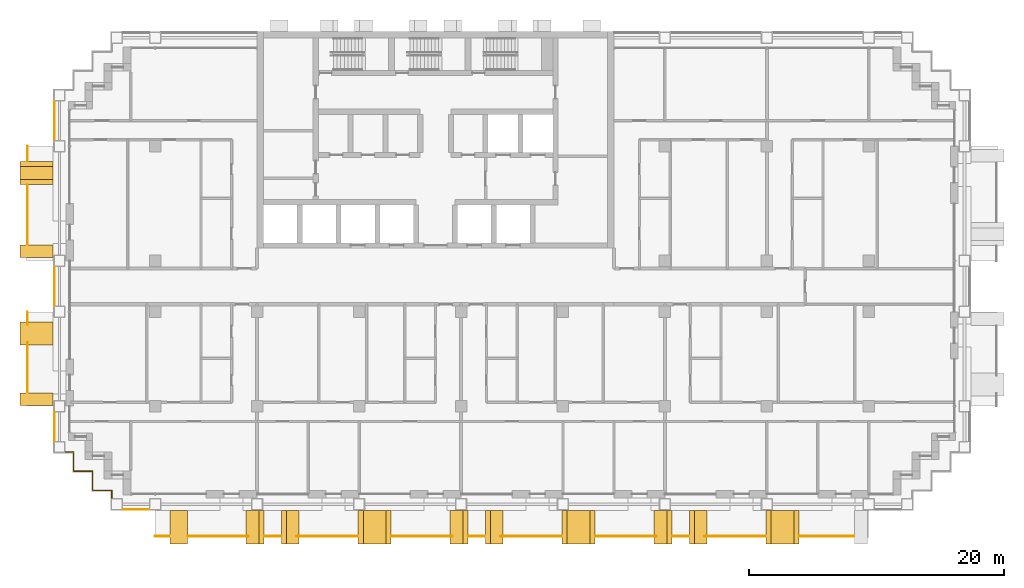
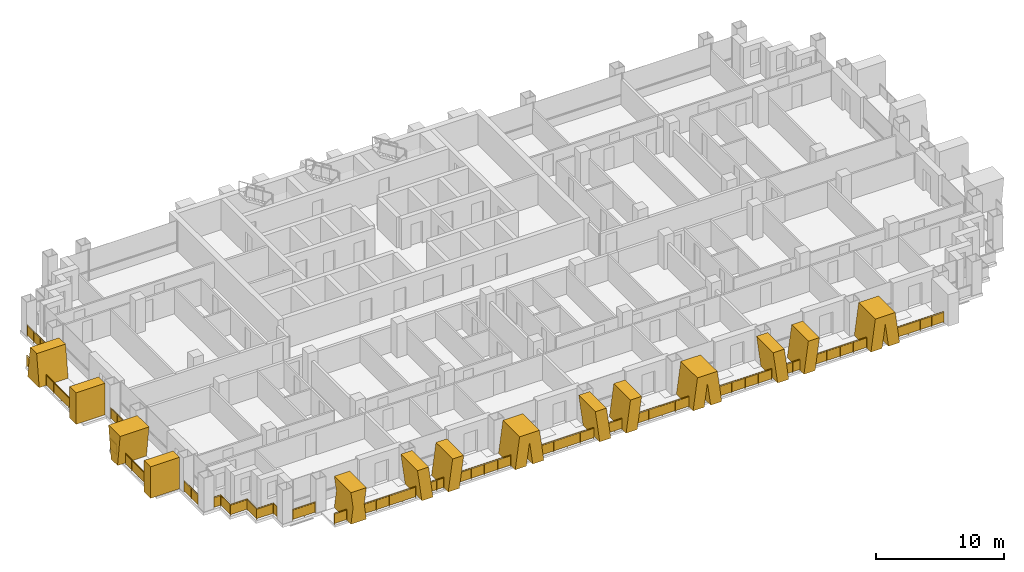
# One storey, part 15 of 17: 20 railings, 14 shading devices.
"""IFC4 building model written with IfcOpenShell, lengths in metres."""

from ifc_helpers import new_model, si_unit, direction, frame, origin, origin_2d, place, context, subcontext, project, spatial, polyline, rectangle, circle, outline, extrude, material, layer, layer_set, type_object, element, save


model = new_model("IFC4")

# Units and contexts
model_context = context("Model", 3, precision=1e-05, world=origin(), true_north=direction((0.0, 1.0)))
body_context = subcontext(model_context, "Body", "Model", "MODEL_VIEW")
ifc_project = project(units=[si_unit("LENGTHUNIT", "METRE"), si_unit("AREAUNIT", "SQUARE_METRE"), si_unit("VOLUMEUNIT", "CUBIC_METRE"), si_unit("PLANEANGLEUNIT", "RADIAN"), si_unit("MASSUNIT", "GRAM", prefix="KILO")], contexts=[model_context])

# Site, building, storey
site_placement = place(None, origin())
site = spatial("IfcSite", under=ifc_project, at=site_placement, CompositionType="ELEMENT")
building_placement = place(site_placement, origin())
building = spatial("IfcBuilding", under=site, at=building_placement, Name="Vidyagriha Tower", CompositionType="ELEMENT")
storey_placement = place(building_placement, frame((0.0, 0.0, 87.10009765625)))
storey = spatial("IfcBuildingStorey", under=building, at=storey_placement, Name="L22", CompositionType="ELEMENT", Elevation=87.10009765625)

# Railings
ifc_material_1 = material(Name="Steel ASTM A500 Grade C black painted", Category="steel")
railing_type_1 = type_object("IfcRailingType", Name="Balcony guard 1100", PredefinedType="BALUSTRADE", material=ifc_material_1)
railing_1_placement = place(storey_placement, frame((-32.0, 11.0, 0.0)))
element("IfcRailing", 1, at=railing_1_placement, inside=storey, type_object=railing_type_1, Name="Balcony guard L22 R16.1-1", PredefinedType="BALUSTRADE", context=body_context, shape_type="SweptSolid", body=[
    extrude(circle(Radius=0.02490234375, at=origin_2d()), frame((0.0, 0.0, 1.0751953125), z_axis=(0.0, -1.0, 0.0), x_axis=(1.0, 0.0, 0.0)), (0.0, 0.0, 1.0), 1.14990234375),
    extrude(circle(Radius=0.02001953125, at=origin_2d()), origin(), (0.0, 0.0, 1.0), 1.050048828125),
    extrude(circle(Radius=0.02001953125, at=origin_2d()), frame((0.0, -1.14990234375, 0.0)), (0.0, 0.0, 1.0), 1.050048828125),
    extrude(rectangle(XDim=0.010009765625, YDim=0.900146484375, at=origin_2d()), frame((0.0, 0.0, 0.550048828125), z_axis=(0.0, -1.0, 0.0), x_axis=(1.0, 0.0, 0.0)), (0.0, 0.0, 1.0), 1.14990234375),
])
railing_2_placement = place(storey_placement, frame((-32.0, 7.949951171875, 0.0)))
element("IfcRailing", 2, at=railing_2_placement, inside=storey, type_object=railing_type_1, Name="Balcony guard L22 R16.1-2", PredefinedType="BALUSTRADE", context=body_context, shape_type="SweptSolid", body=[
    extrude(circle(Radius=0.02490234375, at=origin_2d()), frame((0.0, 0.0, 1.0751953125), z_axis=(0.0, -1.0, 0.0), x_axis=(1.0, 0.0, 0.0)), (0.0, 0.0, 1.0), 4.64990234375),
    extrude(circle(Radius=0.02001953125, at=origin_2d()), origin(), (0.0, 0.0, 1.0), 1.050048828125),
    extrude(circle(Radius=0.02001953125, at=origin_2d()), frame((0.0, -1.16259765625, 0.0)), (0.0, 0.0, 1.0), 1.050048828125),
    extrude(circle(Radius=0.02001953125, at=origin_2d()), frame((0.0, -2.324951171875, 0.0)), (0.0, 0.0, 1.0), 1.050048828125),
    extrude(circle(Radius=0.02001953125, at=origin_2d()), frame((0.0, -3.4873046875, 0.0)), (0.0, 0.0, 1.0), 1.050048828125),
    extrude(circle(Radius=0.02001953125, at=origin_2d()), frame((0.0, -4.64990234375, 0.0)), (0.0, 0.0, 1.0), 1.050048828125),
    extrude(rectangle(XDim=0.010009765625, YDim=0.900146484375, at=origin_2d()), frame((0.0, 0.0, 0.550048828125), z_axis=(0.0, -1.0, 0.0), x_axis=(1.0, 0.0, 0.0)), (0.0, 0.0, 1.0), 4.64990234375),
])
railing_3_placement = place(storey_placement, frame((-32.0, -2.0, 0.0)))
element("IfcRailing", 3, at=railing_3_placement, inside=storey, type_object=railing_type_1, Name="Balcony guard L22 R16.2-1", PredefinedType="BALUSTRADE", context=body_context, shape_type="SweptSolid", body=[
    extrude(circle(Radius=0.02490234375, at=origin_2d()), frame((0.0, 0.0, 1.0751953125), z_axis=(0.0, -1.0, 0.0), x_axis=(1.0, 0.0, 0.0)), (0.0, 0.0, 1.0), 0.99658203125),
    extrude(circle(Radius=0.02001953125, at=origin_2d()), origin(), (0.0, 0.0, 1.0), 1.050048828125),
    extrude(circle(Radius=0.02001953125, at=origin_2d()), frame((0.0, -0.99658203125, 0.0)), (0.0, 0.0, 1.0), 1.050048828125),
    extrude(rectangle(XDim=0.010009765625, YDim=0.900146484375, at=origin_2d()), frame((0.0, 0.0, 0.550048828125), z_axis=(0.0, -1.0, 0.0), x_axis=(1.0, 0.0, 0.0)), (0.0, 0.0, 1.0), 0.99658203125),
])
railing_4_placement = place(storey_placement, frame((-32.0, -4.4033203125, 0.0)))
element("IfcRailing", 4, at=railing_4_placement, inside=storey, type_object=railing_type_1, Name="Balcony guard L22 R16.2-2", PredefinedType="BALUSTRADE", context=body_context, shape_type="SweptSolid", body=[
    extrude(circle(Radius=0.02490234375, at=origin_2d()), frame((0.0, 0.0, 1.0751953125), z_axis=(0.0, -1.0, 0.0), x_axis=(1.0, 0.0, 0.0)), (0.0, 0.0, 1.0), 3.896728515625),
    extrude(circle(Radius=0.02001953125, at=origin_2d()), origin(), (0.0, 0.0, 1.0), 1.050048828125),
    extrude(circle(Radius=0.02001953125, at=origin_2d()), frame((0.0, -0.97412109375, 0.0)), (0.0, 0.0, 1.0), 1.050048828125),
    extrude(circle(Radius=0.02001953125, at=origin_2d()), frame((0.0, -1.9482421875, 0.0)), (0.0, 0.0, 1.0), 1.050048828125),
    extrude(circle(Radius=0.02001953125, at=origin_2d()), frame((0.0, -2.922607421875, 0.0)), (0.0, 0.0, 1.0), 1.050048828125),
    extrude(circle(Radius=0.02001953125, at=origin_2d()), frame((0.0, -3.896728515625, 0.0)), (0.0, 0.0, 1.0), 1.050048828125),
    extrude(rectangle(XDim=0.010009765625, YDim=0.900146484375, at=origin_2d()), frame((0.0, 0.0, 0.550048828125), z_axis=(0.0, -1.0, 0.0), x_axis=(1.0, 0.0, 0.0)), (0.0, 0.0, 1.0), 3.896728515625),
])
railing_5_placement = place(storey_placement, frame((-22.0, -19.60009765625, 0.0)))
element("IfcRailing", 5, at=railing_5_placement, inside=storey, type_object=railing_type_1, Name="Balcony guard L22 R23.1-1", PredefinedType="BALUSTRADE", context=body_context, shape_type="SweptSolid", body=[
    extrude(circle(Radius=0.02490234375, at=origin_2d()), frame((0.0, 0.0, 1.0751953125), z_axis=(1.0, 0.0, 0.0), x_axis=(0.0, 1.0, 0.0)), (0.0, 0.0, 1.0), 1.107177734375),
    extrude(circle(Radius=0.02001953125, at=origin_2d()), origin(), (0.0, 0.0, 1.0), 1.050048828125),
    extrude(circle(Radius=0.02001953125, at=origin_2d()), frame((1.107177734375, 0.0, 0.0)), (0.0, 0.0, 1.0), 1.050048828125),
    extrude(rectangle(XDim=0.010009765625, YDim=0.900146484375, at=origin_2d()), frame((0.0, 0.0, 0.550048828125), z_axis=(1.0, 0.0, 0.0), x_axis=(0.0, 1.0, 0.0)), (0.0, 0.0, 1.0), 1.107177734375),
])
railing_6_placement = place(storey_placement, frame((-19.406982421875, -19.60009765625, 0.0)))
element("IfcRailing", 6, at=railing_6_placement, inside=storey, type_object=railing_type_1, Name="Balcony guard L22 R23.1-2", PredefinedType="BALUSTRADE", context=body_context, shape_type="SweptSolid", body=[
    extrude(circle(Radius=0.02490234375, at=origin_2d()), frame((0.0, 0.0, 1.0751953125), z_axis=(1.0, 0.0, 0.0), x_axis=(0.0, 1.0, 0.0)), (0.0, 0.0, 1.0), 4.74560546875),
    extrude(circle(Radius=0.02001953125, at=origin_2d()), origin(), (0.0, 0.0, 1.0), 1.050048828125),
    extrude(circle(Radius=0.02001953125, at=origin_2d()), frame((1.1865234375, 0.0, 0.0)), (0.0, 0.0, 1.0), 1.050048828125),
    extrude(circle(Radius=0.02001953125, at=origin_2d()), frame((2.372802734375, 0.0, 0.0)), (0.0, 0.0, 1.0), 1.050048828125),
    extrude(circle(Radius=0.02001953125, at=origin_2d()), frame((3.55908203125, 0.0, 0.0)), (0.0, 0.0, 1.0), 1.050048828125),
    extrude(circle(Radius=0.02001953125, at=origin_2d()), frame((4.74560546875, 0.0, 0.0)), (0.0, 0.0, 1.0), 1.050048828125),
    extrude(rectangle(XDim=0.010009765625, YDim=0.900146484375, at=origin_2d()), frame((0.0, 0.0, 0.550048828125), z_axis=(1.0, 0.0, 0.0), x_axis=(0.0, 1.0, 0.0)), (0.0, 0.0, 1.0), 4.74560546875),
])
railing_7_placement = place(storey_placement, frame((-13.409912109375, -19.60009765625, 0.0)))
element("IfcRailing", 7, at=railing_7_placement, inside=storey, type_object=railing_type_1, Name="Balcony guard L22 R23.1-3", PredefinedType="BALUSTRADE", context=body_context, shape_type="SweptSolid", body=[
    extrude(circle(Radius=0.02490234375, at=origin_2d()), frame((0.0, 0.0, 1.0751953125), z_axis=(1.0, 0.0, 0.0), x_axis=(0.0, 1.0, 0.0)), (0.0, 0.0, 1.0), 1.27001953125),
    extrude(circle(Radius=0.02001953125, at=origin_2d()), origin(), (0.0, 0.0, 1.0), 1.050048828125),
    extrude(circle(Radius=0.02001953125, at=origin_2d()), frame((0.635009765625, 0.0, 0.0)), (0.0, 0.0, 1.0), 1.050048828125),
    extrude(circle(Radius=0.02001953125, at=origin_2d()), frame((1.27001953125, 0.0, 0.0)), (0.0, 0.0, 1.0), 1.050048828125),
    extrude(rectangle(XDim=0.010009765625, YDim=0.900146484375, at=origin_2d()), frame((0.0, 0.0, 0.550048828125), z_axis=(1.0, 0.0, 0.0), x_axis=(0.0, 1.0, 0.0)), (0.0, 0.0, 1.0), 1.27001953125),
])
for number, where, name in (
    (8, (-10.888671875, -19.60009765625, 0.0), "Balcony guard L22 R23.1-4"),
    (9, (-3.43505859375, -19.60009765625, 0.0), "Balcony guard L22 R23.1-5"),
):
    element("IfcRailing", number, at=place(storey_placement, frame(where)), inside=storey, type_object=railing_type_1, Name=name, PredefinedType="BALUSTRADE", context=body_context, shape_type="SweptSolid", body=[
        extrude(circle(Radius=0.02490234375, at=origin_2d()), frame((0.0, 0.0, 1.0751953125), z_axis=(1.0, 0.0, 0.0), x_axis=(0.0, 1.0, 0.0)), (0.0, 0.0, 1.0), 4.773681640625),
        extrude(circle(Radius=0.02001953125, at=origin_2d()), origin(), (0.0, 0.0, 1.0), 1.050048828125),
        extrude(circle(Radius=0.02001953125, at=origin_2d()), frame((1.193359375, 0.0, 0.0)), (0.0, 0.0, 1.0), 1.050048828125),
        extrude(circle(Radius=0.02001953125, at=origin_2d()), frame((2.38671875, 0.0, 0.0)), (0.0, 0.0, 1.0), 1.050048828125),
        extrude(circle(Radius=0.02001953125, at=origin_2d()), frame((3.580322265625, 0.0, 0.0)), (0.0, 0.0, 1.0), 1.050048828125),
        extrude(circle(Radius=0.02001953125, at=origin_2d()), frame((4.773681640625, 0.0, 0.0)), (0.0, 0.0, 1.0), 1.050048828125),
        extrude(rectangle(XDim=0.010009765625, YDim=0.900146484375, at=origin_2d()), frame((0.0, 0.0, 0.550048828125), z_axis=(1.0, 0.0, 0.0), x_axis=(0.0, 1.0, 0.0)), (0.0, 0.0, 1.0), 4.773681640625),
    ])
railing_8_placement = place(storey_placement, frame((2.590087890625, -19.60009765625, 0.0)))
element("IfcRailing", 10, at=railing_8_placement, inside=storey, type_object=railing_type_1, Name="Balcony guard L22 R23.1-6", PredefinedType="BALUSTRADE", context=body_context, shape_type="SweptSolid", body=[
    extrude(circle(Radius=0.02490234375, at=origin_2d()), frame((0.0, 0.0, 1.0751953125), z_axis=(1.0, 0.0, 0.0), x_axis=(0.0, 1.0, 0.0)), (0.0, 0.0, 1.0), 1.27001953125),
    extrude(circle(Radius=0.02001953125, at=origin_2d()), origin(), (0.0, 0.0, 1.0), 1.050048828125),
    extrude(circle(Radius=0.02001953125, at=origin_2d()), frame((0.635009765625, 0.0, 0.0)), (0.0, 0.0, 1.0), 1.050048828125),
    extrude(circle(Radius=0.02001953125, at=origin_2d()), frame((1.27001953125, 0.0, 0.0)), (0.0, 0.0, 1.0), 1.050048828125),
    extrude(rectangle(XDim=0.010009765625, YDim=0.900146484375, at=origin_2d()), frame((0.0, 0.0, 0.550048828125), z_axis=(1.0, 0.0, 0.0), x_axis=(0.0, 1.0, 0.0)), (0.0, 0.0, 1.0), 1.27001953125),
])
for number, where, name in (
    (11, (5.111328125, -19.60009765625, 0.0), "Balcony guard L22 R23.1-7"),
    (12, (12.56494140625, -19.60009765625, 0.0), "Balcony guard L22 R23.1-8"),
):
    element("IfcRailing", number, at=place(storey_placement, frame(where)), inside=storey, type_object=railing_type_1, Name=name, PredefinedType="BALUSTRADE", context=body_context, shape_type="SweptSolid", body=[
        extrude(circle(Radius=0.02490234375, at=origin_2d()), frame((0.0, 0.0, 1.0751953125), z_axis=(1.0, 0.0, 0.0), x_axis=(0.0, 1.0, 0.0)), (0.0, 0.0, 1.0), 4.773681640625),
        extrude(circle(Radius=0.02001953125, at=origin_2d()), origin(), (0.0, 0.0, 1.0), 1.050048828125),
        extrude(circle(Radius=0.02001953125, at=origin_2d()), frame((1.193359375, 0.0, 0.0)), (0.0, 0.0, 1.0), 1.050048828125),
        extrude(circle(Radius=0.02001953125, at=origin_2d()), frame((2.38671875, 0.0, 0.0)), (0.0, 0.0, 1.0), 1.050048828125),
        extrude(circle(Radius=0.02001953125, at=origin_2d()), frame((3.580322265625, 0.0, 0.0)), (0.0, 0.0, 1.0), 1.050048828125),
        extrude(circle(Radius=0.02001953125, at=origin_2d()), frame((4.773681640625, 0.0, 0.0)), (0.0, 0.0, 1.0), 1.050048828125),
        extrude(rectangle(XDim=0.010009765625, YDim=0.900146484375, at=origin_2d()), frame((0.0, 0.0, 0.550048828125), z_axis=(1.0, 0.0, 0.0), x_axis=(0.0, 1.0, 0.0)), (0.0, 0.0, 1.0), 4.773681640625),
    ])
railing_9_placement = place(storey_placement, frame((18.590087890625, -19.60009765625, 0.0)))
element("IfcRailing", 13, at=railing_9_placement, inside=storey, type_object=railing_type_1, Name="Balcony guard L22 R23.1-9", PredefinedType="BALUSTRADE", context=body_context, shape_type="SweptSolid", body=[
    extrude(circle(Radius=0.02490234375, at=origin_2d()), frame((0.0, 0.0, 1.0751953125), z_axis=(1.0, 0.0, 0.0), x_axis=(0.0, 1.0, 0.0)), (0.0, 0.0, 1.0), 1.27001953125),
    extrude(circle(Radius=0.02001953125, at=origin_2d()), origin(), (0.0, 0.0, 1.0), 1.050048828125),
    extrude(circle(Radius=0.02001953125, at=origin_2d()), frame((0.635009765625, 0.0, 0.0)), (0.0, 0.0, 1.0), 1.050048828125),
    extrude(circle(Radius=0.02001953125, at=origin_2d()), frame((1.27001953125, 0.0, 0.0)), (0.0, 0.0, 1.0), 1.050048828125),
    extrude(rectangle(XDim=0.010009765625, YDim=0.900146484375, at=origin_2d()), frame((0.0, 0.0, 0.550048828125), z_axis=(1.0, 0.0, 0.0), x_axis=(0.0, 1.0, 0.0)), (0.0, 0.0, 1.0), 1.27001953125),
])
railing_10_placement = place(storey_placement, frame((21.111328125, -19.60009765625, 0.0)))
element("IfcRailing", 14, at=railing_10_placement, inside=storey, type_object=railing_type_1, Name="Balcony guard L22 R23.1-10", PredefinedType="BALUSTRADE", context=body_context, shape_type="SweptSolid", body=[
    extrude(circle(Radius=0.02490234375, at=origin_2d()), frame((0.0, 0.0, 1.0751953125), z_axis=(1.0, 0.0, 0.0), x_axis=(0.0, 1.0, 0.0)), (0.0, 0.0, 1.0), 4.773681640625),
    extrude(circle(Radius=0.02001953125, at=origin_2d()), origin(), (0.0, 0.0, 1.0), 1.050048828125),
    extrude(circle(Radius=0.02001953125, at=origin_2d()), frame((1.193359375, 0.0, 0.0)), (0.0, 0.0, 1.0), 1.050048828125),
    extrude(circle(Radius=0.02001953125, at=origin_2d()), frame((2.38671875, 0.0, 0.0)), (0.0, 0.0, 1.0), 1.050048828125),
    extrude(circle(Radius=0.02001953125, at=origin_2d()), frame((3.580322265625, 0.0, 0.0)), (0.0, 0.0, 1.0), 1.050048828125),
    extrude(circle(Radius=0.02001953125, at=origin_2d()), frame((4.773681640625, 0.0, 0.0)), (0.0, 0.0, 1.0), 1.050048828125),
    extrude(rectangle(XDim=0.010009765625, YDim=0.900146484375, at=origin_2d()), frame((0.0, 0.0, 0.550048828125), z_axis=(1.0, 0.0, 0.0), x_axis=(0.0, 1.0, 0.0)), (0.0, 0.0, 1.0), 4.773681640625),
])
railing_11_placement = place(storey_placement, frame((28.56494140625, -19.60009765625, 0.0)))
element("IfcRailing", 15, at=railing_11_placement, inside=storey, type_object=railing_type_1, Name="Balcony guard L22 R23.1-11", PredefinedType="BALUSTRADE", context=body_context, shape_type="SweptSolid", body=[
    extrude(circle(Radius=0.02490234375, at=origin_2d()), frame((0.0, 0.0, 1.0751953125), z_axis=(1.0, 0.0, 0.0), x_axis=(0.0, 1.0, 0.0)), (0.0, 0.0, 1.0), 4.260009765625),
    extrude(circle(Radius=0.02001953125, at=origin_2d()), origin(), (0.0, 0.0, 1.0), 1.050048828125),
    extrude(circle(Radius=0.02001953125, at=origin_2d()), frame((1.06494140625, 0.0, 0.0)), (0.0, 0.0, 1.0), 1.050048828125),
    extrude(circle(Radius=0.02001953125, at=origin_2d()), frame((2.1298828125, 0.0, 0.0)), (0.0, 0.0, 1.0), 1.050048828125),
    extrude(circle(Radius=0.02001953125, at=origin_2d()), frame((3.195068359375, 0.0, 0.0)), (0.0, 0.0, 1.0), 1.050048828125),
    extrude(circle(Radius=0.02001953125, at=origin_2d()), frame((4.260009765625, 0.0, 0.0)), (0.0, 0.0, 1.0), 1.050048828125),
    extrude(rectangle(XDim=0.010009765625, YDim=0.900146484375, at=origin_2d()), frame((0.0, 0.0, 0.550048828125), z_axis=(1.0, 0.0, 0.0), x_axis=(0.0, 1.0, 0.0)), (0.0, 0.0, 1.0), 4.260009765625),
])

# Shading devices
ifc_material_2 = material(Name="Precast concrete C40/50 with buff brick facing", Category="concrete")
ifc_layer_1 = layer(ifc_material_2, 1.0)
ifc_layer_set_1 = layer_set([ifc_layer_1], Name="Precast concrete C40/50 with buff brick facing")
shading_device_type_1 = type_object("IfcShadingDeviceType", Name="Brick-faced blade fin arm leaning 8 degrees", PredefinedType="USERDEFINED", material=ifc_layer_set_1)
shading_device_1_placement = place(storey_placement, frame((-12.090087890625, -18.89990234375, 0.0)))
element("IfcShadingDevice", 16, at=shading_device_1_placement, inside=storey, type_object=shading_device_type_1, Name="Leaning blade fin L22 R23.990a", ObjectType="BLADE FIN", PredefinedType="USERDEFINED", context=body_context, shape_type="SweptSolid", body=[
    extrude(outline(polyline([(0.0, 0.0), (1.0, 0.0), (1.39501953125, 3.0), (0.39501953125, 3.0), (0.0, 0.0)])), frame((0.0, 1.300048828125, 0.0), z_axis=(0.0, -1.0, 0.0), x_axis=(1.0, 0.0, 0.0)), (0.0, 0.0, 1.0), 2.60009765625),
])
shading_device_2_placement = place(storey_placement, frame((-14.85498046875, -18.89990234375, 0.0)))
element("IfcShadingDevice", 17, at=shading_device_2_placement, inside=storey, type_object=shading_device_type_1, Name="Leaning blade fin L22 R23.990b", ObjectType="BLADE FIN", PredefinedType="USERDEFINED", context=body_context, shape_type="SweptSolid", body=[
    extrude(outline(polyline([(0.39501953125, 0.0), (1.39501953125, 0.0), (1.0, 3.0), (0.0, 3.0), (0.39501953125, 0.0)])), frame((0.0, 1.300048828125, 0.0), z_axis=(0.0, -1.0, 0.0), x_axis=(1.0, 0.0, 0.0)), (0.0, 0.0, 1.0), 2.60009765625),
])
shading_device_3_placement = place(storey_placement, frame((3.909912109375, -18.89990234375, 0.0)))
element("IfcShadingDevice", 18, at=shading_device_3_placement, inside=storey, type_object=shading_device_type_1, Name="Leaning blade fin L22 R23.2590a", ObjectType="BLADE FIN", PredefinedType="USERDEFINED", context=body_context, shape_type="SweptSolid", body=[
    extrude(outline(polyline([(0.0, 0.0), (1.0, 0.0), (1.39501953125, 3.0), (0.39501953125, 3.0), (0.0, 0.0)])), frame((0.0, 1.300048828125, 0.0), z_axis=(0.0, -1.0, 0.0), x_axis=(1.0, 0.0, 0.0)), (0.0, 0.0, 1.0), 2.60009765625),
])
shading_device_4_placement = place(storey_placement, frame((1.14501953125, -18.89990234375, 0.0)))
element("IfcShadingDevice", 19, at=shading_device_4_placement, inside=storey, type_object=shading_device_type_1, Name="Leaning blade fin L22 R23.2590b", ObjectType="BLADE FIN", PredefinedType="USERDEFINED", context=body_context, shape_type="SweptSolid", body=[
    extrude(outline(polyline([(0.39501953125, 0.0), (1.39501953125, 0.0), (1.0, 3.0), (0.0, 3.0), (0.39501953125, 0.0)])), frame((0.0, 1.300048828125, 0.0), z_axis=(0.0, -1.0, 0.0), x_axis=(1.0, 0.0, 0.0)), (0.0, 0.0, 1.0), 2.60009765625),
])
shading_device_5_placement = place(storey_placement, frame((19.909912109375, -18.89990234375, 0.0)))
element("IfcShadingDevice", 20, at=shading_device_5_placement, inside=storey, type_object=shading_device_type_1, Name="Leaning blade fin L22 R23.4190a", ObjectType="BLADE FIN", PredefinedType="USERDEFINED", context=body_context, shape_type="SweptSolid", body=[
    extrude(outline(polyline([(0.0, 0.0), (1.0, 0.0), (1.39501953125, 3.0), (0.39501953125, 3.0), (0.0, 0.0)])), frame((0.0, 1.300048828125, 0.0), z_axis=(0.0, -1.0, 0.0), x_axis=(1.0, 0.0, 0.0)), (0.0, 0.0, 1.0), 2.60009765625),
])
shading_device_6_placement = place(storey_placement, frame((17.14501953125, -18.89990234375, 0.0)))
element("IfcShadingDevice", 21, at=shading_device_6_placement, inside=storey, type_object=shading_device_type_1, Name="Leaning blade fin L22 R23.4190b", ObjectType="BLADE FIN", PredefinedType="USERDEFINED", context=body_context, shape_type="SweptSolid", body=[
    extrude(outline(polyline([(0.39501953125, 0.0), (1.39501953125, 0.0), (1.0, 3.0), (0.0, 3.0), (0.39501953125, 0.0)])), frame((0.0, 1.300048828125, 0.0), z_axis=(0.0, -1.0, 0.0), x_axis=(1.0, 0.0, 0.0)), (0.0, 0.0, 1.0), 2.60009765625),
])
ifc_material_3 = material(Name="Precast concrete C40/50 with buff brick facing", Category="concrete")
ifc_layer_2 = layer(ifc_material_3, 1.0)
ifc_layer_set_2 = layer_set([ifc_layer_2], Name="Precast concrete C40/50 with buff brick facing")
shading_device_type_2 = type_object("IfcShadingDeviceType", Name="Brick-faced blade fin forking 8 degrees", PredefinedType="USERDEFINED", material=ifc_layer_set_2)
shading_device_7_placement = place(storey_placement, frame((-31.300048828125, 9.800048828125, 0.0), z_axis=(0.0, 0.0, 1.0), x_axis=(0.0, -1.0, 0.0)))
element("IfcShadingDevice", 22, at=shading_device_7_placement, inside=storey, type_object=shading_device_type_2, Name="Forked blade fin L22 R16.290a", ObjectType="BLADE FIN", PredefinedType="USERDEFINED", context=body_context, shape_type="SweptSolid", body=[
    extrude(outline(polyline([(0.0, 0.0), (1.800048828125, 0.0), (1.39990234375, 3.0), (0.39990234375, 3.0), (0.0, 0.0)])), frame((0.0, 1.300048828125, 0.0), z_axis=(0.0, -1.0, 0.0), x_axis=(1.0, 0.0, 0.0)), (0.0, 0.0, 1.0), 2.60009765625),
])
shading_device_8_placement = place(storey_placement, frame((-31.300048828125, -2.800048828125, 0.0), z_axis=(0.0, 0.0, 1.0), x_axis=(0.0, -1.0, 0.0)))
element("IfcShadingDevice", 23, at=shading_device_8_placement, inside=storey, type_object=shading_device_type_2, Name="Forked blade fin L22 R16.1590a", ObjectType="BLADE FIN", PredefinedType="USERDEFINED", context=body_context, shape_type="SweptSolid", body=[
    extrude(outline(polyline([(0.39990234375, 0.0), (1.39990234375, 0.0), (1.800048828125, 3.0), (0.0, 3.0), (0.39990234375, 0.0)])), frame((0.0, 1.300048828125, 0.0), z_axis=(0.0, -1.0, 0.0), x_axis=(1.0, 0.0, 0.0)), (0.0, 0.0, 1.0), 2.60009765625),
])
shading_device_9_placement = place(storey_placement, frame((-20.843017578125, -18.89990234375, 0.0)))
element("IfcShadingDevice", 24, at=shading_device_9_placement, inside=storey, type_object=shading_device_type_2, Name="Forked blade fin L22 R23.190a", ObjectType="BLADE FIN", PredefinedType="USERDEFINED", context=body_context, shape_type="SweptSolid", body=[
    extrude(outline(polyline([(0.0, 0.0), (1.3857421875, 0.0), (1.19287109375, 1.5), (1.3857421875, 3.0), (0.0, 3.0), (0.19287109375, 1.5), (0.0, 0.0)])), frame((0.0, 1.300048828125, 0.0), z_axis=(0.0, -1.0, 0.0), x_axis=(1.0, 0.0, 0.0)), (0.0, 0.0, 1.0), 2.60009765625),
])
for number, where, name in (
    (25, (-6.06494140625, -18.89990234375, 0.0), "Forked blade fin L22 R23.1790a"),
    (26, (9.93505859375, -18.89990234375, 0.0), "Forked blade fin L22 R23.3390a"),
    (27, (25.93505859375, -18.89990234375, 0.0), "Forked blade fin L22 R23.4990a"),
):
    element("IfcShadingDevice", number, at=place(storey_placement, frame(where)), inside=storey, type_object=shading_device_type_2, Name=name, ObjectType="BLADE FIN", PredefinedType="USERDEFINED", context=body_context, shape_type="SweptSolid", body=[
        extrude(outline(polyline([(1.0, 0.0), (1.2900390625, 2.202392578125), (1.580078125, 0.0), (2.580078125, 0.0), (2.18505859375, 3.0), (0.39501953125, 3.0), (0.0, 0.0), (1.0, 0.0)])), frame((0.0, 1.300048828125, 0.0), z_axis=(0.0, -1.0, 0.0), x_axis=(1.0, 0.0, 0.0)), (0.0, 0.0, 1.0), 2.60009765625),
    ])
ifc_material_4 = material(Name="Precast concrete C40/50 with buff brick facing", Category="concrete")
ifc_layer_3 = layer(ifc_material_4, 1.0)
ifc_layer_set_3 = layer_set([ifc_layer_3], Name="Precast concrete C40/50 with buff brick facing")
shading_device_type_3 = type_object("IfcShadingDeviceType", Name="Brick-faced blade fin stem 1000", PredefinedType="USERDEFINED", material=ifc_layer_set_3)
for number, where, z_axis, x_axis, name in (
    (28, (-31.300048828125, 3.25, 0.0), (0.0, 0.0, 1.0), (0.0, -1.0, 0.0), "Stem blade fin L22 R16.1190a"),
    (29, (-31.300048828125, -8.35009765625, 0.0), (0.0, 0.0, 1.0), (0.0, -1.0, 0.0), "Stem blade fin L22 R16.2330a"),
):
    element("IfcShadingDevice", number, at=place(storey_placement, frame(where, z_axis=z_axis, x_axis=x_axis)), inside=storey, type_object=shading_device_type_3, Name=name, ObjectType="BLADE FIN", PredefinedType="USERDEFINED", context=body_context, shape_type="SweptSolid", body=[
        extrude(outline(polyline([(0.0, 0.0), (1.0, 0.0), (1.0, 3.0), (0.0, 3.0), (0.0, 0.0)])), frame((0.0, 1.300048828125, 0.0), z_axis=(0.0, -1.0, 0.0), x_axis=(1.0, 0.0, 0.0)), (0.0, 0.0, 1.0), 2.60009765625),
    ])

# Railings
ifc_material_5 = material(Name="Steel ASTM A500 Grade C black painted", Category="steel")
railing_type_2 = type_object("IfcRailingType", Name="Gallery guard 1100", PredefinedType="GUARDRAIL", material=ifc_material_5)
railing_12_placement = place(storey_placement, frame((-29.89990234375, -12.1201171875, 0.0)))
element("IfcRailing", 30, at=railing_12_placement, inside=storey, type_object=railing_type_2, Name="Gallery guard L22 1", PredefinedType="GUARDRAIL", context=body_context, shape_type="SweptSolid", body=[
    extrude(circle(Radius=0.02490234375, at=origin_2d()), frame((0.0, 0.0, 1.0751953125), z_axis=(0.0, 1.0, 0.0), x_axis=(-1.0, 0.0, 0.0)), (0.0, 0.0, 1.0), 2.240234375),
    extrude(circle(Radius=0.02001953125, at=origin_2d()), origin(), (0.0, 0.0, 1.0), 1.050048828125),
    extrude(circle(Radius=0.02001953125, at=origin_2d()), frame((0.0, 1.1201171875, 0.0)), (0.0, 0.0, 1.0), 1.050048828125),
    extrude(circle(Radius=0.02001953125, at=origin_2d()), frame((0.0, 2.240234375, 0.0)), (0.0, 0.0, 1.0), 1.050048828125),
    extrude(rectangle(XDim=0.010009765625, YDim=0.900146484375, at=origin_2d()), frame((0.0, 0.0, 0.550048828125), z_axis=(0.0, 1.0, 0.0), x_axis=(-1.0, 0.0, 0.0)), (0.0, 0.0, 1.0), 2.240234375),
])
for number, where, name in (
    (31, (-29.89990234375, -1.52001953125, 0.0), "Gallery guard L22 2"),
    (32, (-29.89990234375, 11.47998046875, 0.0), "Gallery guard L22 3"),
):
    element("IfcRailing", number, at=place(storey_placement, frame(where)), inside=storey, type_object=railing_type_2, Name=name, PredefinedType="GUARDRAIL", context=body_context, shape_type="SweptSolid", body=[
        extrude(circle(Radius=0.02490234375, at=origin_2d()), frame((0.0, 0.0, 1.0751953125), z_axis=(0.0, 1.0, 0.0), x_axis=(-1.0, 0.0, 0.0)), (0.0, 0.0, 1.0), 3.0400390625),
        extrude(circle(Radius=0.02001953125, at=origin_2d()), origin(), (0.0, 0.0, 1.0), 1.050048828125),
        extrude(circle(Radius=0.02001953125, at=origin_2d()), frame((0.0, 1.013427734375, 0.0)), (0.0, 0.0, 1.0), 1.050048828125),
        extrude(circle(Radius=0.02001953125, at=origin_2d()), frame((0.0, 2.026611328125, 0.0)), (0.0, 0.0, 1.0), 1.050048828125),
        extrude(circle(Radius=0.02001953125, at=origin_2d()), frame((0.0, 3.0400390625, 0.0)), (0.0, 0.0, 1.0), 1.050048828125),
        extrude(rectangle(XDim=0.010009765625, YDim=0.900146484375, at=origin_2d()), frame((0.0, 0.0, 0.550048828125), z_axis=(0.0, 1.0, 0.0), x_axis=(-1.0, 0.0, 0.0)), (0.0, 0.0, 1.0), 3.0400390625),
    ])
railing_13_placement = place(storey_placement, frame((-25.39990234375, -16.6201171875, 0.0)))
element("IfcRailing", 33, at=railing_13_placement, inside=storey, type_object=railing_type_2, Name="Gallery guard L22 4", PredefinedType="GUARDRAIL", context=body_context, shape_type="SweptSolid", body=[
    extrude(circle(Radius=0.02490234375, at=origin_2d()), frame((0.0, 0.0, 1.0751953125), z_axis=(0.0, 1.0, 0.0), x_axis=(-1.0, 0.0, 0.0)), (0.0, 0.0, 1.0), 0.6201171875),
    extrude(circle(Radius=0.02490234375, at=origin_2d()), frame((0.0, 0.6201171875, 1.0751953125), z_axis=(-1.0, 0.0, 0.0), x_axis=(0.0, -1.0, 0.0)), (0.0, 0.0, 1.0), 1.5),
    extrude(circle(Radius=0.02490234375, at=origin_2d()), frame((-1.5, 0.6201171875, 1.0751953125), z_axis=(0.0, 1.0, 0.0), x_axis=(-1.0, 0.0, 0.0)), (0.0, 0.0, 1.0), 1.5),
    extrude(circle(Radius=0.02490234375, at=origin_2d()), frame((-1.5, 2.1201171875, 1.0751953125), z_axis=(-1.0, 0.0, 0.0), x_axis=(0.0, -1.0, 0.0)), (0.0, 0.0, 1.0), 1.5),
    extrude(circle(Radius=0.02490234375, at=origin_2d()), frame((-3.0, 2.1201171875, 1.0751953125), z_axis=(0.0, 1.0, 0.0), x_axis=(-1.0, 0.0, 0.0)), (0.0, 0.0, 1.0), 1.5),
    extrude(circle(Radius=0.02490234375, at=origin_2d()), frame((-3.0, 3.6201171875, 1.0751953125), z_axis=(-1.0, 0.0, 0.0), x_axis=(0.0, -1.0, 0.0)), (0.0, 0.0, 1.0), 0.6201171875),
    extrude(circle(Radius=0.02001953125, at=origin_2d()), origin(), (0.0, 0.0, 1.0), 1.050048828125),
    extrude(circle(Radius=0.02001953125, at=origin_2d()), frame((0.0, 0.6201171875, 0.0)), (0.0, 0.0, 1.0), 1.050048828125),
    extrude(circle(Radius=0.02001953125, at=origin_2d()), frame((-1.5, 0.6201171875, 0.0)), (0.0, 0.0, 1.0), 1.050048828125),
    extrude(circle(Radius=0.02001953125, at=origin_2d()), frame((-1.5, 2.1201171875, 0.0)), (0.0, 0.0, 1.0), 1.050048828125),
    extrude(circle(Radius=0.02001953125, at=origin_2d()), frame((-3.0, 2.1201171875, 0.0)), (0.0, 0.0, 1.0), 1.050048828125),
    extrude(circle(Radius=0.02001953125, at=origin_2d()), frame((-3.0, 3.6201171875, 0.0)), (0.0, 0.0, 1.0), 1.050048828125),
    extrude(circle(Radius=0.02001953125, at=origin_2d()), frame((-3.6201171875, 3.6201171875, 0.0)), (0.0, 0.0, 1.0), 1.050048828125),
    extrude(rectangle(XDim=0.010009765625, YDim=0.900146484375, at=origin_2d()), frame((0.0, 0.0, 0.550048828125), z_axis=(0.0, 1.0, 0.0), x_axis=(-1.0, 0.0, 0.0)), (0.0, 0.0, 1.0), 0.6201171875),
    extrude(rectangle(XDim=0.010009765625, YDim=0.900146484375, at=origin_2d()), frame((0.0, 0.6201171875, 0.550048828125), z_axis=(-1.0, 0.0, 0.0), x_axis=(0.0, -1.0, 0.0)), (0.0, 0.0, 1.0), 1.5),
    extrude(rectangle(XDim=0.010009765625, YDim=0.900146484375, at=origin_2d()), frame((-1.5, 0.6201171875, 0.550048828125), z_axis=(0.0, 1.0, 0.0), x_axis=(-1.0, 0.0, 0.0)), (0.0, 0.0, 1.0), 1.5),
    extrude(rectangle(XDim=0.010009765625, YDim=0.900146484375, at=origin_2d()), frame((-1.5, 2.1201171875, 0.550048828125), z_axis=(-1.0, 0.0, 0.0), x_axis=(0.0, -1.0, 0.0)), (0.0, 0.0, 1.0), 1.5),
    extrude(rectangle(XDim=0.010009765625, YDim=0.900146484375, at=origin_2d()), frame((-3.0, 2.1201171875, 0.550048828125), z_axis=(0.0, 1.0, 0.0), x_axis=(-1.0, 0.0, 0.0)), (0.0, 0.0, 1.0), 1.5),
    extrude(rectangle(XDim=0.010009765625, YDim=0.900146484375, at=origin_2d()), frame((-3.0, 3.6201171875, 0.550048828125), z_axis=(-1.0, 0.0, 0.0), x_axis=(0.0, -1.0, 0.0)), (0.0, 0.0, 1.0), 0.6201171875),
])
railing_14_placement = place(storey_placement, frame((-22.47998046875, -17.5, 0.0)))
element("IfcRailing", 34, at=railing_14_placement, inside=storey, type_object=railing_type_2, Name="Gallery guard L22 6", PredefinedType="GUARDRAIL", context=body_context, shape_type="SweptSolid", body=[
    extrude(circle(Radius=0.02490234375, at=origin_2d()), frame((0.0, 0.0, 1.0751953125), z_axis=(-1.0, 0.0, 0.0), x_axis=(0.0, -1.0, 0.0)), (0.0, 0.0, 1.0), 2.0400390625),
    extrude(circle(Radius=0.02001953125, at=origin_2d()), origin(), (0.0, 0.0, 1.0), 1.050048828125),
    extrude(circle(Radius=0.02001953125, at=origin_2d()), frame((-1.02001953125, 0.0, 0.0)), (0.0, 0.0, 1.0), 1.050048828125),
    extrude(circle(Radius=0.02001953125, at=origin_2d()), frame((-2.0400390625, 0.0, 0.0)), (0.0, 0.0, 1.0), 1.050048828125),
    extrude(rectangle(XDim=0.010009765625, YDim=0.900146484375, at=origin_2d()), frame((0.0, 0.0, 0.550048828125), z_axis=(-1.0, 0.0, 0.0), x_axis=(0.0, -1.0, 0.0)), (0.0, 0.0, 1.0), 2.0400390625),
])

save(model, "model.ifc")
